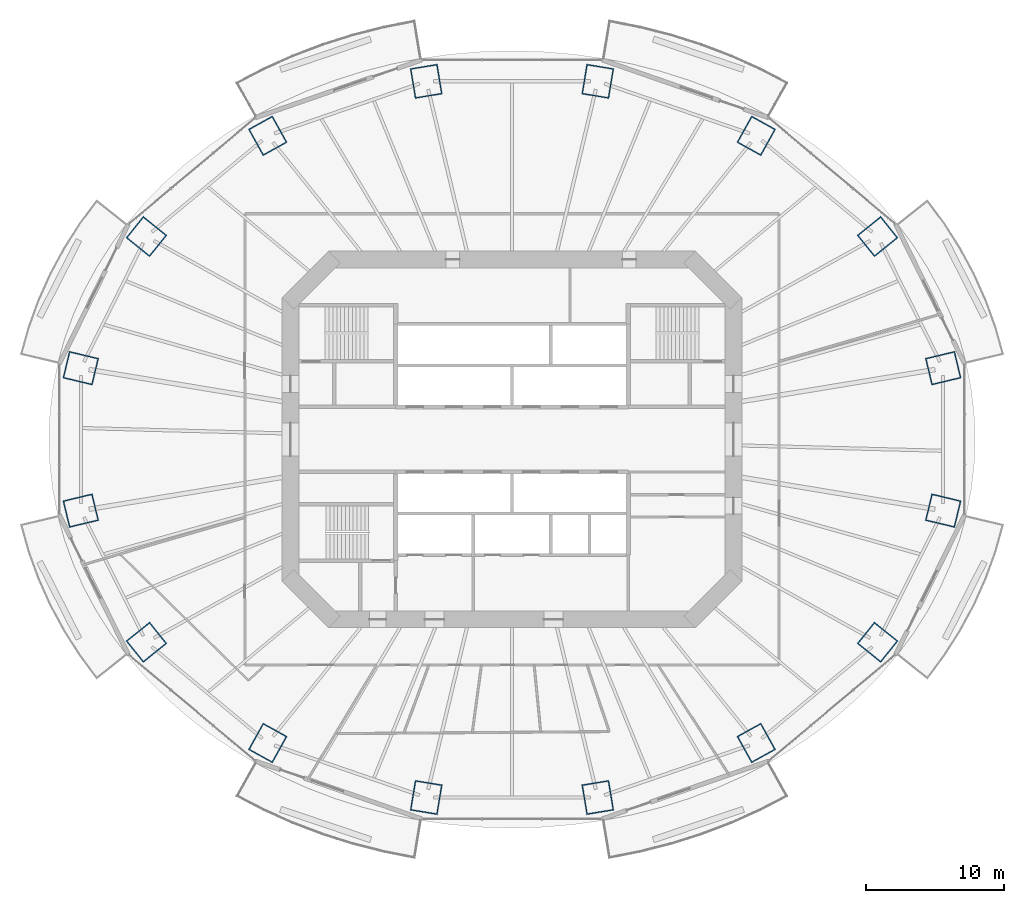
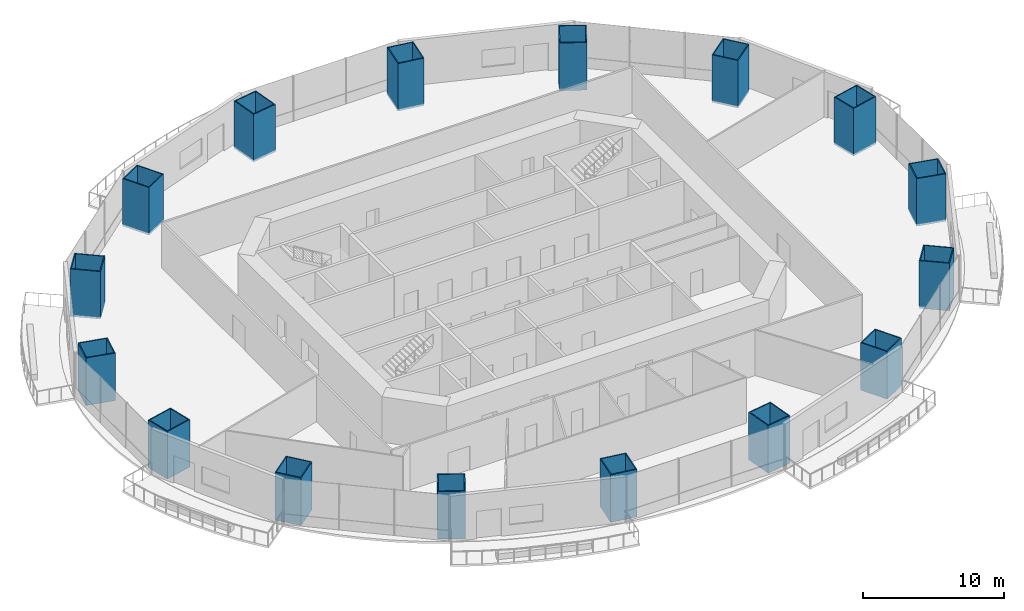
# One storey, part 1 of 18: 16 columns.
"""IFC4 building model written with IfcOpenShell, lengths in metres."""

from ifc_helpers import new_model, si_unit, direction, frame, origin, origin_2d, place, context, subcontext, project, spatial, rectangle, hollow_rectangle, extrude, material, material_profile, profile_set, type_object, element, save


model = new_model("IFC4")

# Units and contexts
model_context = context("Model", 3, precision=1e-05, world=origin(), true_north=direction((0.0, 1.0)))
body_context = subcontext(model_context, "Body", "Model", "MODEL_VIEW")
ifc_project = project(units=[si_unit("LENGTHUNIT", "METRE"), si_unit("AREAUNIT", "SQUARE_METRE"), si_unit("VOLUMEUNIT", "CUBIC_METRE"), si_unit("PLANEANGLEUNIT", "RADIAN"), si_unit("MASSUNIT", "GRAM", prefix="KILO")], contexts=[model_context])

# Site, building, storey
site_placement = place(None, origin())
site = spatial("IfcSite", under=ifc_project, at=site_placement, CompositionType="ELEMENT")
building_placement = place(site_placement, origin())
building = spatial("IfcBuilding", under=site, at=building_placement, Name="Marenthal Gate Tower", CompositionType="ELEMENT")
storey_placement = place(building_placement, frame((0.0, 0.0, 140.89990234375)))
storey = spatial("IfcBuildingStorey", under=building, at=storey_placement, Name="L30", CompositionType="ELEMENT", Elevation=140.89990234375)

# Columns
ifc_material_1 = material(Name="Steel S460", Category="steel")
ifc_material_profile_1 = material_profile(ifc_material_1, hollow_rectangle(XDim=2.0, YDim=2.199951171875, WallThickness=0.080078125, at=origin_2d()), Name="CFT BOX 2200X2000X80")
ifc_material_2 = material(Name="Concrete 70 MPa", Category="concrete")
ifc_material_profile_2 = material_profile(ifc_material_2, rectangle(XDim=1.840087890625, YDim=2.0400390625, at=origin_2d()), Name="CFT BOX 2200X2000X80 INFILL")
ifc_profile_set = profile_set([ifc_material_profile_1, ifc_material_profile_2], Name="Steel S460 shell, Concrete 70 MPa infill")
column_type = type_object("IfcColumnType", Name="CFT BOX 2200X2000X80", PredefinedType="COLUMN", material=ifc_profile_set)
for number, where, z_axis, x_axis, name in (
    (1, (31.151611328125, 5.14599609375, -0.179931640625), (0.0, 0.0, 1.0), (0.23293280554, -0.972492831903, 0.0), "COL-L30-01"),
    (2, (26.4091796875, 14.654296875, -0.179931640625), (0.0, 0.0, 1.0), (0.626873093811, -0.779121379668, 0.0), "COL-L30-02"),
    (3, (17.64599609375, 21.931640625, -0.179931640625), (0.0, 0.0, 1.0), (0.874403004827, -0.485200355677, 0.0), "COL-L30-03"),
    (4, (6.196533203125, 25.8701171875, -0.179931640625), (0.0, 0.0, 1.0), (0.986629397471, -0.162979851655, 0.0), "COL-L30-04"),
    (5, (-6.196533203125, 25.8701171875, -0.179931640625), (0.0, 0.0, 1.0), (0.986629397471, 0.162979851655, 0.0), "COL-L30-05"),
    (6, (-17.64599609375, 21.931640625, -0.179931640625), (0.0, 0.0, 1.0), (0.874403004827, 0.485200355677, 0.0), "COL-L30-06"),
    (7, (-26.4091796875, 14.654296875, -0.179931640625), (0.0, 0.0, 1.0), (0.626873093811, 0.779121379668, 0.0), "COL-L30-07"),
    (8, (-31.151611328125, 5.14599609375, -0.179931640625), (0.0, 0.0, 1.0), (0.23293280554, 0.972492831903, 0.0), "COL-L30-08"),
    (9, (-31.151611328125, -5.14599609375, -0.179931640625), (0.0, 0.0, 1.0), (-0.23293280554, 0.972492831903, 0.0), "COL-L30-09"),
    (10, (-26.4091796875, -14.654296875, -0.179931640625), (0.0, 0.0, 1.0), (-0.626873093811, 0.779121379668, 0.0), "COL-L30-10"),
    (11, (-17.64599609375, -21.931640625, -0.179931640625), (0.0, 0.0, 1.0), (-0.874403004827, 0.485200355677, 0.0), "COL-L30-11"),
    (12, (-6.196533203125, -25.8701171875, -0.179931640625), (0.0, 0.0, 1.0), (-0.986629397471, 0.162979851655, 0.0), "COL-L30-12"),
    (13, (6.196533203125, -25.8701171875, -0.179931640625), (0.0, 0.0, 1.0), (-0.986629397471, -0.162979851655, 0.0), "COL-L30-13"),
    (14, (17.64599609375, -21.931640625, -0.179931640625), (0.0, 0.0, 1.0), (-0.874403004827, -0.485200355677, 0.0), "COL-L30-14"),
    (15, (26.4091796875, -14.654296875, -0.179931640625), (0.0, 0.0, 1.0), (-0.626873093811, -0.779121379668, 0.0), "COL-L30-15"),
    (16, (31.151611328125, -5.14599609375, -0.179931640625), (0.0, 0.0, 1.0), (-0.23293280554, -0.972492831903, 0.0), "COL-L30-16"),
):
    element("IfcColumn", number, at=place(storey_placement, frame(where, z_axis=z_axis, x_axis=x_axis)), inside=storey, type_object=column_type, Name=name, PredefinedType="COLUMN", context=body_context, shape_type="SweptSolid", body=[
        extrude(hollow_rectangle(XDim=2.0, YDim=2.199951171875, WallThickness=0.080078125, at=origin_2d()), origin(), (0.0, 0.0, 1.0), 4.130126953125),
    ])

save(model, "model.ifc")
